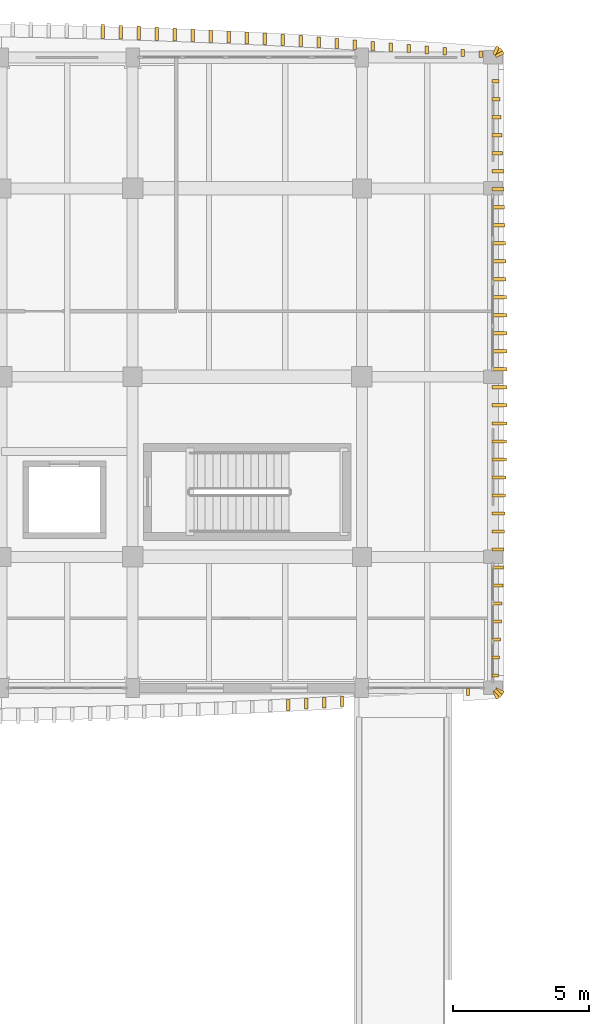
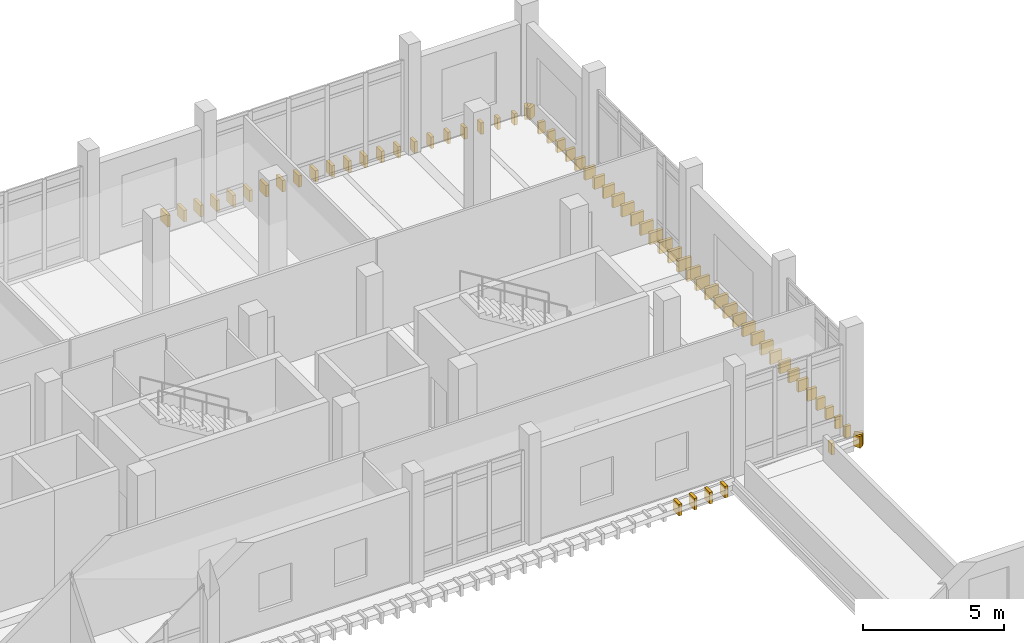
# One storey, part 71 of 76: 67 coverings.
"""IFC4 building model written with IfcOpenShell, lengths in metres."""

from ifc_helpers import new_model, si_unit, direction, frame, origin, origin_2d, place, context, subcontext, project, spatial, rectangle, extrude, material, layer, layer_set, type_object, element, save


model = new_model("IFC4")

# Units and contexts
model_context = context("Model", 3, precision=1e-05, world=origin(), true_north=direction((0.0, 1.0)))
body_context = subcontext(model_context, "Body", "Model", "MODEL_VIEW")
ifc_project = project(units=[si_unit("LENGTHUNIT", "METRE"), si_unit("AREAUNIT", "SQUARE_METRE"), si_unit("VOLUMEUNIT", "CUBIC_METRE"), si_unit("PLANEANGLEUNIT", "RADIAN"), si_unit("MASSUNIT", "GRAM", prefix="KILO")], contexts=[model_context])

# Site, building, storey
site_placement = place(None, origin())
site = spatial("IfcSite", under=ifc_project, at=site_placement, CompositionType="ELEMENT")
building_placement = place(site_placement, origin())
building = spatial("IfcBuilding", under=site, at=building_placement, Name="Dornvale Research Institute", CompositionType="ELEMENT")
storey_placement = place(building_placement, frame((0.0, 0.0, 15.0)))
storey = spatial("IfcBuildingStorey", under=building, at=storey_placement, Name="L03", CompositionType="ELEMENT", Elevation=15.0)

# Coverings
ifc_material = material(Name="Polychrome Glazed Terracotta Visor Rib Ceramic", Category="masonry")
ifc_layer = layer(ifc_material, 0.1201171875)
ifc_layer_set = layer_set([ifc_layer], Name="Polychrome Glazed Terracotta Visor Rib Ceramic")
covering_type = type_object("IfcCoveringType", Name="Covering_VisorBlade_Main", PredefinedType="CLADDING", material=ifc_layer_set)
covering_1_placement = place(storey_placement, frame((38.70263671875, 98.37646484375, -0.489990234375), z_axis=(0.0, 0.0, 1.0), x_axis=(0.0, 1.0, 0.0)))
element("IfcCovering", 1, at=covering_1_placement, inside=storey, type_object=covering_type, Name="L03 V5 canted glazed terracotta visor blade #469", PredefinedType="CLADDING", context=body_context, shape_type="SweptSolid", body=[
    extrude(rectangle(XDim=0.405029296875, YDim=0.1201171875, at=origin_2d()), origin(), (0.0, 0.0, 1.0), 0.5),
])
covering_2_placement = place(storey_placement, frame((39.36181640625, 98.415771484375, -0.489990234375), z_axis=(0.0, 0.0, 1.0), x_axis=(0.0, 1.0, 0.0)))
element("IfcCovering", 2, at=covering_2_placement, inside=storey, type_object=covering_type, Name="L03 V5 canted glazed terracotta visor blade #470", PredefinedType="CLADDING", context=body_context, shape_type="SweptSolid", body=[
    extrude(rectangle(XDim=0.39208984375, YDim=0.1201171875, at=origin_2d()), origin(), (0.0, 0.0, 1.0), 0.5),
])
covering_3_placement = place(storey_placement, frame((40.02099609375, 98.4580078125, -0.489990234375), z_axis=(0.0, 0.0, 1.0), x_axis=(0.0, 1.0, 0.0)))
element("IfcCovering", 3, at=covering_3_placement, inside=storey, type_object=covering_type, Name="L03 V5 canted glazed terracotta visor blade #471", PredefinedType="CLADDING", context=body_context, shape_type="SweptSolid", body=[
    extrude(rectangle(XDim=0.3779296875, YDim=0.1201171875, at=origin_2d()), origin(), (0.0, 0.0, 1.0), 0.5),
])
covering_4_placement = place(storey_placement, frame((40.679931640625, 98.501708984375, -0.489990234375), z_axis=(0.0, 0.0, 1.0), x_axis=(0.0, 1.0, 0.0)))
element("IfcCovering", 4, at=covering_4_placement, inside=storey, type_object=covering_type, Name="L03 V5 canted glazed terracotta visor blade #472", PredefinedType="CLADDING", context=body_context, shape_type="SweptSolid", body=[
    extrude(rectangle(XDim=0.363037109375, YDim=0.1201171875, at=origin_2d()), origin(), (0.0, 0.0, 1.0), 0.5),
])
covering_5_placement = place(storey_placement, frame((45.290771484375, 98.8525390625, -0.489990234375), z_axis=(0.0, 0.0, 1.0), x_axis=(0.0, 1.0, 0.0)))
element("IfcCovering", 5, at=covering_5_placement, inside=storey, type_object=covering_type, Name="L03 V5 canted glazed terracotta visor blade #473", PredefinedType="CLADDING", context=body_context, shape_type="SweptSolid", body=[
    extrude(rectangle(XDim=0.24609375, YDim=0.1201171875, at=origin_2d()), origin(), (0.0, 0.0, 1.0), 0.5),
])
covering_6_placement = place(storey_placement, frame((45.751220703125, 122.20849609375, -0.489990234375), z_axis=(0.0, 0.0, 1.0), x_axis=(0.0, 1.0, 0.0)))
element("IfcCovering", 6, at=covering_6_placement, inside=storey, type_object=covering_type, Name="L03 V5 canted glazed terracotta visor blade #474", PredefinedType="CLADDING", context=body_context, shape_type="SweptSolid", body=[
    extrude(rectangle(XDim=0.23291015625, YDim=0.1201171875, at=origin_2d()), origin(), (0.0, 0.0, 1.0), 0.5),
])
covering_7_placement = place(storey_placement, frame((45.0927734375, 122.2646484375, -0.489990234375), z_axis=(0.0, 0.0, 1.0), x_axis=(0.0, 1.0, 0.0)))
element("IfcCovering", 7, at=covering_7_placement, inside=storey, type_object=covering_type, Name="L03 V5 canted glazed terracotta visor blade #475", PredefinedType="CLADDING", context=body_context, shape_type="SweptSolid", body=[
    extrude(rectangle(XDim=0.251953125, YDim=0.1201171875, at=origin_2d()), origin(), (0.0, 0.0, 1.0), 0.5),
])
covering_8_placement = place(storey_placement, frame((44.434326171875, 122.319580078125, -0.489990234375), z_axis=(0.0, 0.0, 1.0), x_axis=(0.0, 1.0, 0.0)))
element("IfcCovering", 8, at=covering_8_placement, inside=storey, type_object=covering_type, Name="L03 V5 canted glazed terracotta visor blade #476", PredefinedType="CLADDING", context=body_context, shape_type="SweptSolid", body=[
    extrude(rectangle(XDim=0.27001953125, YDim=0.1201171875, at=origin_2d()), origin(), (0.0, 0.0, 1.0), 0.5),
])
covering_9_placement = place(storey_placement, frame((43.77587890625, 122.3720703125, -0.489990234375), z_axis=(0.0, 0.0, 1.0), x_axis=(0.0, 1.0, 0.0)))
element("IfcCovering", 9, at=covering_9_placement, inside=storey, type_object=covering_type, Name="L03 V5 canted glazed terracotta visor blade #477", PredefinedType="CLADDING", context=body_context, shape_type="SweptSolid", body=[
    extrude(rectangle(XDim=0.2880859375, YDim=0.1201171875, at=origin_2d()), origin(), (0.0, 0.0, 1.0), 0.5),
])
covering_10_placement = place(storey_placement, frame((43.1171875, 122.423583984375, -0.489990234375), z_axis=(0.0, 0.0, 1.0), x_axis=(0.0, 1.0, 0.0)))
element("IfcCovering", 10, at=covering_10_placement, inside=storey, type_object=covering_type, Name="L03 V5 canted glazed terracotta visor blade #478", PredefinedType="CLADDING", context=body_context, shape_type="SweptSolid", body=[
    extrude(rectangle(XDim=0.304931640625, YDim=0.1201171875, at=origin_2d()), origin(), (0.0, 0.0, 1.0), 0.5),
])
covering_11_placement = place(storey_placement, frame((42.45849609375, 122.47265625, -0.489990234375), z_axis=(0.0, 0.0, 1.0), x_axis=(0.0, 1.0, 0.0)))
element("IfcCovering", 11, at=covering_11_placement, inside=storey, type_object=covering_type, Name="L03 V5 canted glazed terracotta visor blade #479", PredefinedType="CLADDING", context=body_context, shape_type="SweptSolid", body=[
    extrude(rectangle(XDim=0.321044921875, YDim=0.1201171875, at=origin_2d()), origin(), (0.0, 0.0, 1.0), 0.5),
])
covering_12_placement = place(storey_placement, frame((41.7998046875, 122.5205078125, -0.489990234375), z_axis=(0.0, 0.0, 1.0), x_axis=(0.0, 1.0, 0.0)))
element("IfcCovering", 12, at=covering_12_placement, inside=storey, type_object=covering_type, Name="L03 V5 canted glazed terracotta visor blade #480", PredefinedType="CLADDING", context=body_context, shape_type="SweptSolid", body=[
    extrude(rectangle(XDim=0.3369140625, YDim=0.1201171875, at=origin_2d()), origin(), (0.0, 0.0, 1.0), 0.5),
])
covering_13_placement = place(storey_placement, frame((41.140869140625, 122.56787109375, -0.489990234375), z_axis=(0.0, 0.0, 1.0), x_axis=(0.0, 1.0, 0.0)))
element("IfcCovering", 13, at=covering_13_placement, inside=storey, type_object=covering_type, Name="L03 V5 canted glazed terracotta visor blade #481", PredefinedType="CLADDING", context=body_context, shape_type="SweptSolid", body=[
    extrude(rectangle(XDim=0.35302734375, YDim=0.1201171875, at=origin_2d()), origin(), (0.0, 0.0, 1.0), 0.5),
])
covering_14_placement = place(storey_placement, frame((40.48193359375, 122.61181640625, -0.489990234375), z_axis=(0.0, 0.0, 1.0), x_axis=(0.0, 1.0, 0.0)))
element("IfcCovering", 14, at=covering_14_placement, inside=storey, type_object=covering_type, Name="L03 V5 canted glazed terracotta visor blade #482", PredefinedType="CLADDING", context=body_context, shape_type="SweptSolid", body=[
    extrude(rectangle(XDim=0.367919921875, YDim=0.1201171875, at=origin_2d()), origin(), (0.0, 0.0, 1.0), 0.5),
])
covering_15_placement = place(storey_placement, frame((39.822998046875, 122.655029296875, -0.489990234375), z_axis=(0.0, 0.0, 1.0), x_axis=(0.0, 1.0, 0.0)))
element("IfcCovering", 15, at=covering_15_placement, inside=storey, type_object=covering_type, Name="L03 V5 canted glazed terracotta visor blade #483", PredefinedType="CLADDING", context=body_context, shape_type="SweptSolid", body=[
    extrude(rectangle(XDim=0.382080078125, YDim=0.1201171875, at=origin_2d()), origin(), (0.0, 0.0, 1.0), 0.5),
])
covering_16_placement = place(storey_placement, frame((39.163818359375, 122.696044921875, -0.489990234375), z_axis=(0.0, 0.0, 1.0), x_axis=(0.0, 1.0, 0.0)))
element("IfcCovering", 16, at=covering_16_placement, inside=storey, type_object=covering_type, Name="L03 V5 canted glazed terracotta visor blade #484", PredefinedType="CLADDING", context=body_context, shape_type="SweptSolid", body=[
    extrude(rectangle(XDim=0.39599609375, YDim=0.1201171875, at=origin_2d()), origin(), (0.0, 0.0, 1.0), 0.5),
])
covering_17_placement = place(storey_placement, frame((38.504638671875, 122.735595703125, -0.489990234375), z_axis=(0.0, 0.0, 1.0), x_axis=(0.0, 1.0, 0.0)))
element("IfcCovering", 17, at=covering_17_placement, inside=storey, type_object=covering_type, Name="L03 V5 canted glazed terracotta visor blade #485", PredefinedType="CLADDING", context=body_context, shape_type="SweptSolid", body=[
    extrude(rectangle(XDim=0.408935546875, YDim=0.1201171875, at=origin_2d()), origin(), (0.0, 0.0, 1.0), 0.5),
])
covering_18_placement = place(storey_placement, frame((37.845458984375, 122.7744140625, -0.489990234375), z_axis=(0.0, 0.0, 1.0), x_axis=(0.0, 1.0, 0.0)))
element("IfcCovering", 18, at=covering_18_placement, inside=storey, type_object=covering_type, Name="L03 V5 canted glazed terracotta visor blade #486", PredefinedType="CLADDING", context=body_context, shape_type="SweptSolid", body=[
    extrude(rectangle(XDim=0.422119140625, YDim=0.1201171875, at=origin_2d()), origin(), (0.0, 0.0, 1.0), 0.5),
])
covering_19_placement = place(storey_placement, frame((37.18603515625, 122.809814453125, -0.489990234375), z_axis=(0.0, 0.0, 1.0), x_axis=(0.0, 1.0, 0.0)))
element("IfcCovering", 19, at=covering_19_placement, inside=storey, type_object=covering_type, Name="L03 V5 canted glazed terracotta visor blade #487", PredefinedType="CLADDING", context=body_context, shape_type="SweptSolid", body=[
    extrude(rectangle(XDim=0.43408203125, YDim=0.1201171875, at=origin_2d()), origin(), (0.0, 0.0, 1.0), 0.5),
])
covering_20_placement = place(storey_placement, frame((36.526611328125, 122.8447265625, -0.489990234375), z_axis=(0.0, 0.0, 1.0), x_axis=(0.0, 1.0, 0.0)))
element("IfcCovering", 20, at=covering_20_placement, inside=storey, type_object=covering_type, Name="L03 V5 canted glazed terracotta visor blade #488", PredefinedType="CLADDING", context=body_context, shape_type="SweptSolid", body=[
    extrude(rectangle(XDim=0.445068359375, YDim=0.1201171875, at=origin_2d()), origin(), (0.0, 0.0, 1.0), 0.5),
])
covering_21_placement = place(storey_placement, frame((35.8671875, 122.87744140625, -0.489990234375), z_axis=(0.0, 0.0, 1.0), x_axis=(0.0, 1.0, 0.0)))
element("IfcCovering", 21, at=covering_21_placement, inside=storey, type_object=covering_type, Name="L03 V5 canted glazed terracotta visor blade #489", PredefinedType="CLADDING", context=body_context, shape_type="SweptSolid", body=[
    extrude(rectangle(XDim=0.4560546875, YDim=0.1201171875, at=origin_2d()), origin(), (0.0, 0.0, 1.0), 0.5),
])
covering_22_placement = place(storey_placement, frame((35.207763671875, 122.908935546875, -0.489990234375), z_axis=(0.0, 0.0, 1.0), x_axis=(0.0, 1.0, 0.0)))
element("IfcCovering", 22, at=covering_22_placement, inside=storey, type_object=covering_type, Name="L03 V5 canted glazed terracotta visor blade #490", PredefinedType="CLADDING", context=body_context, shape_type="SweptSolid", body=[
    extrude(rectangle(XDim=0.467041015625, YDim=0.1201171875, at=origin_2d()), origin(), (0.0, 0.0, 1.0), 0.5),
])
covering_23_placement = place(storey_placement, frame((34.54833984375, 122.939453125, -0.489990234375), z_axis=(0.0, 0.0, 1.0), x_axis=(0.0, 1.0, 0.0)))
element("IfcCovering", 23, at=covering_23_placement, inside=storey, type_object=covering_type, Name="L03 V5 canted glazed terracotta visor blade #491", PredefinedType="CLADDING", context=body_context, shape_type="SweptSolid", body=[
    extrude(rectangle(XDim=0.47705078125, YDim=0.1201171875, at=origin_2d()), origin(), (0.0, 0.0, 1.0), 0.5),
])
covering_24_placement = place(storey_placement, frame((33.888671875, 122.966552734375, -0.489990234375), z_axis=(0.0, 0.0, 1.0), x_axis=(0.0, 1.0, 0.0)))
element("IfcCovering", 24, at=covering_24_placement, inside=storey, type_object=covering_type, Name="L03 V5 canted glazed terracotta visor blade #492", PredefinedType="CLADDING", context=body_context, shape_type="SweptSolid", body=[
    extrude(rectangle(XDim=0.486083984375, YDim=0.1201171875, at=origin_2d()), origin(), (0.0, 0.0, 1.0), 0.5),
])
covering_25_placement = place(storey_placement, frame((33.22900390625, 122.99365234375, -0.489990234375), z_axis=(0.0, 0.0, 1.0), x_axis=(0.0, 1.0, 0.0)))
element("IfcCovering", 25, at=covering_25_placement, inside=storey, type_object=covering_type, Name="L03 V5 canted glazed terracotta visor blade #493", PredefinedType="CLADDING", context=body_context, shape_type="SweptSolid", body=[
    extrude(rectangle(XDim=0.4951171875, YDim=0.1201171875, at=origin_2d()), origin(), (0.0, 0.0, 1.0), 0.5),
])
covering_26_placement = place(storey_placement, frame((32.5693359375, 123.017822265625, -0.489990234375), z_axis=(0.0, 0.0, 1.0), x_axis=(0.0, 1.0, 0.0)))
element("IfcCovering", 26, at=covering_26_placement, inside=storey, type_object=covering_type, Name="L03 V5 canted glazed terracotta visor blade #494", PredefinedType="CLADDING", context=body_context, shape_type="SweptSolid", body=[
    extrude(rectangle(XDim=0.5029296875, YDim=0.1201171875, at=origin_2d()), origin(), (0.0, 0.0, 1.0), 0.5),
])
covering_27_placement = place(storey_placement, frame((31.90966796875, 123.041015625, -0.489990234375), z_axis=(0.0, 0.0, 1.0), x_axis=(0.0, 1.0, 0.0)))
element("IfcCovering", 27, at=covering_27_placement, inside=storey, type_object=covering_type, Name="L03 V5 canted glazed terracotta visor blade #495", PredefinedType="CLADDING", context=body_context, shape_type="SweptSolid", body=[
    extrude(rectangle(XDim=0.510986328125, YDim=0.1201171875, at=origin_2d()), origin(), (0.0, 0.0, 1.0), 0.5),
])
covering_28_placement = place(storey_placement, frame((46.282958984375, 99.449951171875, -0.489990234375), z_axis=(0.0, 0.0, 1.0), x_axis=(1.0, 0.0, 0.0)))
element("IfcCovering", 28, at=covering_28_placement, inside=storey, type_object=covering_type, Name="L03 V5 canted glazed terracotta visor blade #543", PredefinedType="CLADDING", context=body_context, shape_type="SweptSolid", body=[
    extrude(rectangle(XDim=0.24609375, YDim=0.1201171875, at=origin_2d()), origin(), (0.0, 0.0, 1.0), 0.5),
])
covering_29_placement = place(storey_placement, frame((46.301025390625, 100.110107421875, -0.489990234375), z_axis=(0.0, 0.0, 1.0), x_axis=(1.0, 0.0, 0.0)))
element("IfcCovering", 29, at=covering_29_placement, inside=storey, type_object=covering_type, Name="L03 V5 canted glazed terracotta visor blade #544", PredefinedType="CLADDING", context=body_context, shape_type="SweptSolid", body=[
    extrude(rectangle(XDim=0.281982421875, YDim=0.1201171875, at=origin_2d()), origin(), (0.0, 0.0, 1.0), 0.5),
])
covering_30_placement = place(storey_placement, frame((46.318115234375, 100.77001953125, -0.489990234375), z_axis=(0.0, 0.0, 1.0), x_axis=(1.0, 0.0, 0.0)))
element("IfcCovering", 30, at=covering_30_placement, inside=storey, type_object=covering_type, Name="L03 V5 canted glazed terracotta visor blade #545", PredefinedType="CLADDING", context=body_context, shape_type="SweptSolid", body=[
    extrude(rectangle(XDim=0.31591796875, YDim=0.1201171875, at=origin_2d()), origin(), (0.0, 0.0, 1.0), 0.5),
])
covering_31_placement = place(storey_placement, frame((46.333984375, 101.429931640625, -0.489990234375), z_axis=(0.0, 0.0, 1.0), x_axis=(1.0, 0.0, 0.0)))
element("IfcCovering", 31, at=covering_31_placement, inside=storey, type_object=covering_type, Name="L03 V5 canted glazed terracotta visor blade #546", PredefinedType="CLADDING", context=body_context, shape_type="SweptSolid", body=[
    extrude(rectangle(XDim=0.347900390625, YDim=0.1201171875, at=origin_2d()), origin(), (0.0, 0.0, 1.0), 0.5),
])
covering_32_placement = place(storey_placement, frame((46.34912109375, 102.090087890625, -0.489990234375), z_axis=(0.0, 0.0, 1.0), x_axis=(1.0, 0.0, 0.0)))
element("IfcCovering", 32, at=covering_32_placement, inside=storey, type_object=covering_type, Name="L03 V5 canted glazed terracotta visor blade #547", PredefinedType="CLADDING", context=body_context, shape_type="SweptSolid", body=[
    extrude(rectangle(XDim=0.3779296875, YDim=0.1201171875, at=origin_2d()), origin(), (0.0, 0.0, 1.0), 0.5),
])
covering_33_placement = place(storey_placement, frame((46.362548828125, 102.75, -0.489990234375), z_axis=(0.0, 0.0, 1.0), x_axis=(1.0, 0.0, 0.0)))
element("IfcCovering", 33, at=covering_33_placement, inside=storey, type_object=covering_type, Name="L03 V5 canted glazed terracotta visor blade #548", PredefinedType="CLADDING", context=body_context, shape_type="SweptSolid", body=[
    extrude(rectangle(XDim=0.405029296875, YDim=0.1201171875, at=origin_2d()), origin(), (0.0, 0.0, 1.0), 0.5),
])
covering_34_placement = place(storey_placement, frame((46.375, 103.409912109375, -0.489990234375), z_axis=(0.0, 0.0, 1.0), x_axis=(1.0, 0.0, 0.0)))
element("IfcCovering", 34, at=covering_34_placement, inside=storey, type_object=covering_type, Name="L03 V5 canted glazed terracotta visor blade #549", PredefinedType="CLADDING", context=body_context, shape_type="SweptSolid", body=[
    extrude(rectangle(XDim=0.429931640625, YDim=0.1201171875, at=origin_2d()), origin(), (0.0, 0.0, 1.0), 0.5),
])
covering_35_placement = place(storey_placement, frame((46.386474609375, 104.070068359375, -0.489990234375), z_axis=(0.0, 0.0, 1.0), x_axis=(1.0, 0.0, 0.0)))
element("IfcCovering", 35, at=covering_35_placement, inside=storey, type_object=covering_type, Name="L03 V5 canted glazed terracotta visor blade #550", PredefinedType="CLADDING", context=body_context, shape_type="SweptSolid", body=[
    extrude(rectangle(XDim=0.452880859375, YDim=0.1201171875, at=origin_2d()), origin(), (0.0, 0.0, 1.0), 0.5),
])
covering_36_placement = place(storey_placement, frame((46.39697265625, 104.72998046875, -0.489990234375), z_axis=(0.0, 0.0, 1.0), x_axis=(1.0, 0.0, 0.0)))
element("IfcCovering", 36, at=covering_36_placement, inside=storey, type_object=covering_type, Name="L03 V5 canted glazed terracotta visor blade #551", PredefinedType="CLADDING", context=body_context, shape_type="SweptSolid", body=[
    extrude(rectangle(XDim=0.47412109375, YDim=0.1201171875, at=origin_2d()), origin(), (0.0, 0.0, 1.0), 0.5),
])
covering_37_placement = place(storey_placement, frame((46.406005859375, 105.389892578125, -0.489990234375), z_axis=(0.0, 0.0, 1.0), x_axis=(1.0, 0.0, 0.0)))
element("IfcCovering", 37, at=covering_37_placement, inside=storey, type_object=covering_type, Name="L03 V5 canted glazed terracotta visor blade #552", PredefinedType="CLADDING", context=body_context, shape_type="SweptSolid", body=[
    extrude(rectangle(XDim=0.491943359375, YDim=0.1201171875, at=origin_2d()), origin(), (0.0, 0.0, 1.0), 0.5),
])
covering_38_placement = place(storey_placement, frame((46.4140625, 106.050048828125, -0.489990234375), z_axis=(0.0, 0.0, 1.0), x_axis=(1.0, 0.0, 0.0)))
element("IfcCovering", 38, at=covering_38_placement, inside=storey, type_object=covering_type, Name="L03 V5 canted glazed terracotta visor blade #553", PredefinedType="CLADDING", context=body_context, shape_type="SweptSolid", body=[
    extrude(rectangle(XDim=0.508056640625, YDim=0.1201171875, at=origin_2d()), origin(), (0.0, 0.0, 1.0), 0.5),
])
covering_39_placement = place(storey_placement, frame((46.4208984375, 106.7099609375, -0.489990234375), z_axis=(0.0, 0.0, 1.0), x_axis=(1.0, 0.0, 0.0)))
element("IfcCovering", 39, at=covering_39_placement, inside=storey, type_object=covering_type, Name="L03 V5 canted glazed terracotta visor blade #554", PredefinedType="CLADDING", context=body_context, shape_type="SweptSolid", body=[
    extrude(rectangle(XDim=0.52197265625, YDim=0.1201171875, at=origin_2d()), origin(), (0.0, 0.0, 1.0), 0.5),
])
covering_40_placement = place(storey_placement, frame((46.427001953125, 107.3701171875, -0.489990234375), z_axis=(0.0, 0.0, 1.0), x_axis=(1.0, 0.0, 0.0)))
element("IfcCovering", 40, at=covering_40_placement, inside=storey, type_object=covering_type, Name="L03 V5 canted glazed terracotta visor blade #555", PredefinedType="CLADDING", context=body_context, shape_type="SweptSolid", body=[
    extrude(rectangle(XDim=0.533935546875, YDim=0.1201171875, at=origin_2d()), origin(), (0.0, 0.0, 1.0), 0.5),
])
covering_41_placement = place(storey_placement, frame((46.431884765625, 108.030029296875, -0.489990234375), z_axis=(0.0, 0.0, 1.0), x_axis=(1.0, 0.0, 0.0)))
element("IfcCovering", 41, at=covering_41_placement, inside=storey, type_object=covering_type, Name="L03 V5 canted glazed terracotta visor blade #556", PredefinedType="CLADDING", context=body_context, shape_type="SweptSolid", body=[
    extrude(rectangle(XDim=0.5439453125, YDim=0.1201171875, at=origin_2d()), origin(), (0.0, 0.0, 1.0), 0.5),
])
covering_42_placement = place(storey_placement, frame((46.435546875, 108.68994140625, -0.489990234375), z_axis=(0.0, 0.0, 1.0), x_axis=(1.0, 0.0, 0.0)))
element("IfcCovering", 42, at=covering_42_placement, inside=storey, type_object=covering_type, Name="L03 V5 canted glazed terracotta visor blade #557", PredefinedType="CLADDING", context=body_context, shape_type="SweptSolid", body=[
    extrude(rectangle(XDim=0.551025390625, YDim=0.1201171875, at=origin_2d()), origin(), (0.0, 0.0, 1.0), 0.5),
])
covering_43_placement = place(storey_placement, frame((46.43798828125, 109.35009765625, -0.489990234375), z_axis=(0.0, 0.0, 1.0), x_axis=(1.0, 0.0, 0.0)))
element("IfcCovering", 43, at=covering_43_placement, inside=storey, type_object=covering_type, Name="L03 V5 canted glazed terracotta visor blade #558", PredefinedType="CLADDING", context=body_context, shape_type="SweptSolid", body=[
    extrude(rectangle(XDim=0.555908203125, YDim=0.1201171875, at=origin_2d()), origin(), (0.0, 0.0, 1.0), 0.5),
])
covering_44_placement = place(storey_placement, frame((46.439453125, 110.010009765625, -0.489990234375), z_axis=(0.0, 0.0, 1.0), x_axis=(1.0, 0.0, 0.0)))
element("IfcCovering", 44, at=covering_44_placement, inside=storey, type_object=covering_type, Name="L03 V5 canted glazed terracotta visor blade #559", PredefinedType="CLADDING", context=body_context, shape_type="SweptSolid", body=[
    extrude(rectangle(XDim=0.55908203125, YDim=0.1201171875, at=origin_2d()), origin(), (0.0, 0.0, 1.0), 0.5),
])
covering_45_placement = place(storey_placement, frame((46.43994140625, 110.669921875, -0.489990234375), z_axis=(0.0, 0.0, 1.0), x_axis=(1.0, 0.0, 0.0)))
element("IfcCovering", 45, at=covering_45_placement, inside=storey, type_object=covering_type, Name="L03 V5 canted glazed terracotta visor blade #560", PredefinedType="CLADDING", context=body_context, shape_type="SweptSolid", body=[
    extrude(rectangle(XDim=0.56005859375, YDim=0.1201171875, at=origin_2d()), origin(), (0.0, 0.0, 1.0), 0.5),
])
covering_46_placement = place(storey_placement, frame((46.43896484375, 111.330078125, -0.489990234375), z_axis=(0.0, 0.0, 1.0), x_axis=(1.0, 0.0, 0.0)))
element("IfcCovering", 46, at=covering_46_placement, inside=storey, type_object=covering_type, Name="L03 V5 canted glazed terracotta visor blade #561", PredefinedType="CLADDING", context=body_context, shape_type="SweptSolid", body=[
    extrude(rectangle(XDim=0.55810546875, YDim=0.1201171875, at=origin_2d()), origin(), (0.0, 0.0, 1.0), 0.5),
])
covering_47_placement = place(storey_placement, frame((46.4375, 111.989990234375, -0.489990234375), z_axis=(0.0, 0.0, 1.0), x_axis=(1.0, 0.0, 0.0)))
element("IfcCovering", 47, at=covering_47_placement, inside=storey, type_object=covering_type, Name="L03 V5 canted glazed terracotta visor blade #562", PredefinedType="CLADDING", context=body_context, shape_type="SweptSolid", body=[
    extrude(rectangle(XDim=0.554931640625, YDim=0.1201171875, at=origin_2d()), origin(), (0.0, 0.0, 1.0), 0.5),
])
covering_48_placement = place(storey_placement, frame((46.4345703125, 112.64990234375, -0.489990234375), z_axis=(0.0, 0.0, 1.0), x_axis=(1.0, 0.0, 0.0)))
element("IfcCovering", 48, at=covering_48_placement, inside=storey, type_object=covering_type, Name="L03 V5 canted glazed terracotta visor blade #563", PredefinedType="CLADDING", context=body_context, shape_type="SweptSolid", body=[
    extrude(rectangle(XDim=0.549072265625, YDim=0.1201171875, at=origin_2d()), origin(), (0.0, 0.0, 1.0), 0.5),
])
covering_49_placement = place(storey_placement, frame((46.430419921875, 113.31005859375, -0.489990234375), z_axis=(0.0, 0.0, 1.0), x_axis=(1.0, 0.0, 0.0)))
element("IfcCovering", 49, at=covering_49_placement, inside=storey, type_object=covering_type, Name="L03 V5 canted glazed terracotta visor blade #564", PredefinedType="CLADDING", context=body_context, shape_type="SweptSolid", body=[
    extrude(rectangle(XDim=0.541015625, YDim=0.1201171875, at=origin_2d()), origin(), (0.0, 0.0, 1.0), 0.5),
])
covering_50_placement = place(storey_placement, frame((46.425048828125, 113.969970703125, -0.489990234375), z_axis=(0.0, 0.0, 1.0), x_axis=(1.0, 0.0, 0.0)))
element("IfcCovering", 50, at=covering_50_placement, inside=storey, type_object=covering_type, Name="L03 V5 canted glazed terracotta visor blade #565", PredefinedType="CLADDING", context=body_context, shape_type="SweptSolid", body=[
    extrude(rectangle(XDim=0.530029296875, YDim=0.1201171875, at=origin_2d()), origin(), (0.0, 0.0, 1.0), 0.5),
])
covering_51_placement = place(storey_placement, frame((46.4189453125, 114.6298828125, -0.489990234375), z_axis=(0.0, 0.0, 1.0), x_axis=(1.0, 0.0, 0.0)))
element("IfcCovering", 51, at=covering_51_placement, inside=storey, type_object=covering_type, Name="L03 V5 canted glazed terracotta visor blade #566", PredefinedType="CLADDING", context=body_context, shape_type="SweptSolid", body=[
    extrude(rectangle(XDim=0.51806640625, YDim=0.1201171875, at=origin_2d()), origin(), (0.0, 0.0, 1.0), 0.5),
])
covering_52_placement = place(storey_placement, frame((46.41162109375, 115.2900390625, -0.489990234375), z_axis=(0.0, 0.0, 1.0), x_axis=(1.0, 0.0, 0.0)))
element("IfcCovering", 52, at=covering_52_placement, inside=storey, type_object=covering_type, Name="L03 V5 canted glazed terracotta visor blade #567", PredefinedType="CLADDING", context=body_context, shape_type="SweptSolid", body=[
    extrude(rectangle(XDim=0.5029296875, YDim=0.1201171875, at=origin_2d()), origin(), (0.0, 0.0, 1.0), 0.5),
])
covering_53_placement = place(storey_placement, frame((46.403076171875, 115.949951171875, -0.489990234375), z_axis=(0.0, 0.0, 1.0), x_axis=(1.0, 0.0, 0.0)))
element("IfcCovering", 53, at=covering_53_placement, inside=storey, type_object=covering_type, Name="L03 V5 canted glazed terracotta visor blade #568", PredefinedType="CLADDING", context=body_context, shape_type="SweptSolid", body=[
    extrude(rectangle(XDim=0.486083984375, YDim=0.1201171875, at=origin_2d()), origin(), (0.0, 0.0, 1.0), 0.5),
])
covering_54_placement = place(storey_placement, frame((46.39306640625, 116.610107421875, -0.489990234375), z_axis=(0.0, 0.0, 1.0), x_axis=(1.0, 0.0, 0.0)))
element("IfcCovering", 54, at=covering_54_placement, inside=storey, type_object=covering_type, Name="L03 V5 canted glazed terracotta visor blade #569", PredefinedType="CLADDING", context=body_context, shape_type="SweptSolid", body=[
    extrude(rectangle(XDim=0.466064453125, YDim=0.1201171875, at=origin_2d()), origin(), (0.0, 0.0, 1.0), 0.5),
])
covering_55_placement = place(storey_placement, frame((46.382568359375, 117.27001953125, -0.489990234375), z_axis=(0.0, 0.0, 1.0), x_axis=(1.0, 0.0, 0.0)))
element("IfcCovering", 55, at=covering_55_placement, inside=storey, type_object=covering_type, Name="L03 V5 canted glazed terracotta visor blade #570", PredefinedType="CLADDING", context=body_context, shape_type="SweptSolid", body=[
    extrude(rectangle(XDim=0.445068359375, YDim=0.1201171875, at=origin_2d()), origin(), (0.0, 0.0, 1.0), 0.5),
])
covering_56_placement = place(storey_placement, frame((46.37060546875, 117.929931640625, -0.489990234375), z_axis=(0.0, 0.0, 1.0), x_axis=(1.0, 0.0, 0.0)))
element("IfcCovering", 56, at=covering_56_placement, inside=storey, type_object=covering_type, Name="L03 V5 canted glazed terracotta visor blade #571", PredefinedType="CLADDING", context=body_context, shape_type="SweptSolid", body=[
    extrude(rectangle(XDim=0.4208984375, YDim=0.1201171875, at=origin_2d()), origin(), (0.0, 0.0, 1.0), 0.5),
])
covering_57_placement = place(storey_placement, frame((46.357421875, 118.590087890625, -0.489990234375), z_axis=(0.0, 0.0, 1.0), x_axis=(1.0, 0.0, 0.0)))
element("IfcCovering", 57, at=covering_57_placement, inside=storey, type_object=covering_type, Name="L03 V5 canted glazed terracotta visor blade #572", PredefinedType="CLADDING", context=body_context, shape_type="SweptSolid", body=[
    extrude(rectangle(XDim=0.39501953125, YDim=0.1201171875, at=origin_2d()), origin(), (0.0, 0.0, 1.0), 0.5),
])
covering_58_placement = place(storey_placement, frame((46.343505859375, 119.25, -0.489990234375), z_axis=(0.0, 0.0, 1.0), x_axis=(1.0, 0.0, 0.0)))
element("IfcCovering", 58, at=covering_58_placement, inside=storey, type_object=covering_type, Name="L03 V5 canted glazed terracotta visor blade #573", PredefinedType="CLADDING", context=body_context, shape_type="SweptSolid", body=[
    extrude(rectangle(XDim=0.366943359375, YDim=0.1201171875, at=origin_2d()), origin(), (0.0, 0.0, 1.0), 0.5),
])
covering_59_placement = place(storey_placement, frame((46.32861328125, 119.909912109375, -0.489990234375), z_axis=(0.0, 0.0, 1.0), x_axis=(1.0, 0.0, 0.0)))
element("IfcCovering", 59, at=covering_59_placement, inside=storey, type_object=covering_type, Name="L03 V5 canted glazed terracotta visor blade #574", PredefinedType="CLADDING", context=body_context, shape_type="SweptSolid", body=[
    extrude(rectangle(XDim=0.3369140625, YDim=0.1201171875, at=origin_2d()), origin(), (0.0, 0.0, 1.0), 0.5),
])
covering_60_placement = place(storey_placement, frame((46.31201171875, 120.570068359375, -0.489990234375), z_axis=(0.0, 0.0, 1.0), x_axis=(1.0, 0.0, 0.0)))
element("IfcCovering", 60, at=covering_60_placement, inside=storey, type_object=covering_type, Name="L03 V5 canted glazed terracotta visor blade #575", PredefinedType="CLADDING", context=body_context, shape_type="SweptSolid", body=[
    extrude(rectangle(XDim=0.303955078125, YDim=0.1201171875, at=origin_2d()), origin(), (0.0, 0.0, 1.0), 0.5),
])
covering_61_placement = place(storey_placement, frame((46.29443359375, 121.22998046875, -0.489990234375), z_axis=(0.0, 0.0, 1.0), x_axis=(1.0, 0.0, 0.0)))
element("IfcCovering", 61, at=covering_61_placement, inside=storey, type_object=covering_type, Name="L03 V5 canted glazed terracotta visor blade #576", PredefinedType="CLADDING", context=body_context, shape_type="SweptSolid", body=[
    extrude(rectangle(XDim=0.26904296875, YDim=0.1201171875, at=origin_2d()), origin(), (0.0, 0.0, 1.0), 0.5),
])
for number, where, z_axis, x_axis, name in (
    (62, (46.314208984375, 98.75537109375, -0.489990234375), (0.0, 0.0, 1.0), (0.422618261741, -0.906307787037, 0.0), "L03 V5 corner-wrapping visor blade #614"),
    (63, (46.390869140625, 98.80908203125, -0.489990234375), (0.0, 0.0, 1.0), (0.707106781187, -0.707106781187, 0.0), "L03 V5 corner-wrapping visor blade #615"),
    (64, (46.444580078125, 98.885986328125, -0.489990234375), (0.0, 0.0, 1.0), (0.906307787037, -0.422618261741, 0.0), "L03 V5 corner-wrapping visor blade #616"),
    (65, (46.444580078125, 122.214111328125, -0.489990234375), (0.0, 0.0, 1.0), (0.906307787037, 0.422618261741, 0.0), "L03 V5 corner-wrapping visor blade #617"),
    (66, (46.390869140625, 122.291015625, -0.489990234375), (0.0, 0.0, 1.0), (0.707106781187, 0.707106781187, 0.0), "L03 V5 corner-wrapping visor blade #618"),
    (67, (46.314208984375, 122.3447265625, -0.489990234375), (0.0, 0.0, 1.0), (0.422618261741, 0.906307787037, 0.0), "L03 V5 corner-wrapping visor blade #619"),
):
    element("IfcCovering", number, at=place(storey_placement, frame(where, z_axis=z_axis, x_axis=x_axis)), inside=storey, type_object=covering_type, Name=name, PredefinedType="CLADDING", context=body_context, shape_type="SweptSolid", body=[
        extrude(rectangle(XDim=0.320068359375, YDim=0.1201171875, at=origin_2d()), origin(), (0.0, 0.0, 1.0), 0.5),
    ])

save(model, "model.ifc")
